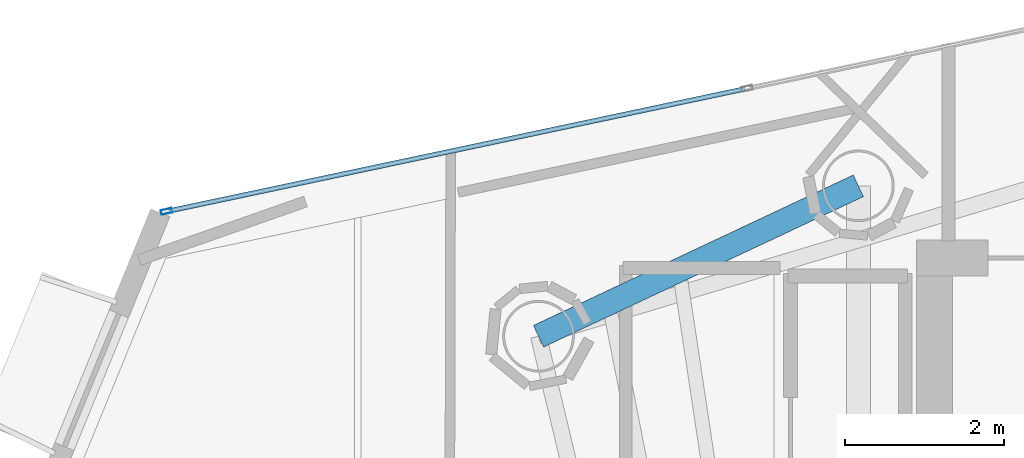
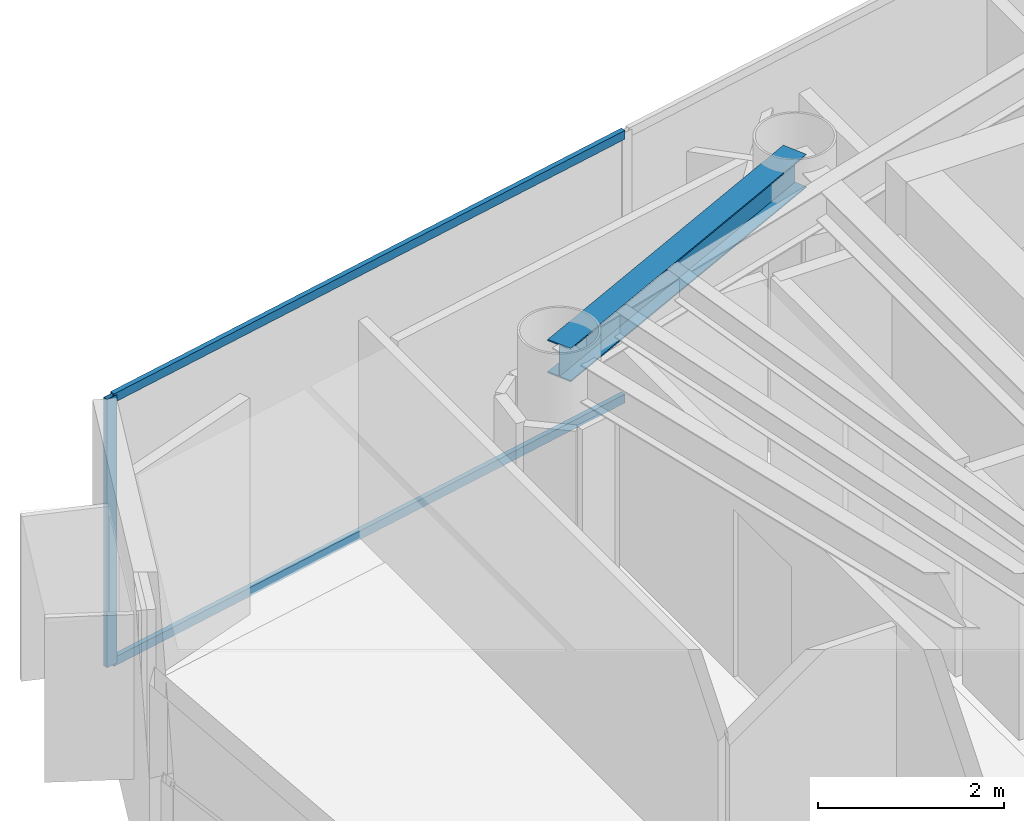
# One storey, part 8 of 21: 3 members, 1 beam, 1 element without a shape of its own.
"""IFC4 building model written with IfcOpenShell, lengths in metres."""

from ifc_helpers import new_model, si_unit, direction, frame, origin, origin_2d, place, context, subcontext, project, spatial, hollow_rectangle, i_section, extrude, material, layer, layer_set, material_profile, profile_set, type_object, element, aggregate, save


model = new_model("IFC4")

# Units and contexts
model_context = context("Model", 3, precision=1e-05, world=origin(), true_north=direction((0.0, 1.0)))
body_context = subcontext(model_context, "Body", "Model", "MODEL_VIEW")
ifc_project = project(units=[si_unit("LENGTHUNIT", "METRE"), si_unit("AREAUNIT", "SQUARE_METRE"), si_unit("VOLUMEUNIT", "CUBIC_METRE"), si_unit("PLANEANGLEUNIT", "RADIAN"), si_unit("MASSUNIT", "GRAM", prefix="KILO")], contexts=[model_context])

# Site, building, storey
site_placement = place(None, origin())
site = spatial("IfcSite", under=ifc_project, at=site_placement, CompositionType="ELEMENT")
building_placement = place(site_placement, origin())
building = spatial("IfcBuilding", under=site, at=building_placement, Name="Qianvela Tower", CompositionType="ELEMENT")
storey_placement = place(building_placement, frame((0.0, 0.0, 302.800048828125)))
storey = spatial("IfcBuildingStorey", under=building, at=storey_placement, Name="L78", CompositionType="ELEMENT", Elevation=302.800048828125)

# Beam
ifc_material_1 = material(Name="Steel Q355B", Category="steel")
ifc_material_profile_1 = material_profile(ifc_material_1, i_section(OverallWidth=0.300048828125, OverallDepth=0.43994140625, WebThickness=0.010986328125, FlangeThickness=0.01806640625, at=origin_2d()), Name="HM440x300x11x18")
ifc_profile_set_1 = profile_set([ifc_material_profile_1], Name="Steel Q355B")
beam_type = type_object("IfcBeamType", Name="BM-HM440-COLL", PredefinedType="BEAM", material=ifc_profile_set_1)
beam_placement = place(storey_placement, frame((28.60009765625, 33.550048828125, 3.2978515625), z_axis=(-0.904957143986, -0.425502723316, 0.0), x_axis=(0.425502723316, -0.904957143986, 0.0)))
element("IfcBeam", 1, at=beam_placement, inside=storey, type_object=beam_type, Name="L78 Radial Primary Floor Girder 3", PredefinedType="BEAM", context=body_context, shape_type="SweptSolid", body=[
    extrude(i_section(OverallWidth=0.300048828125, OverallDepth=0.43994140625, WebThickness=0.010986328125, FlangeThickness=0.01806640625, at=origin_2d()), origin(), (0.0, 0.0, 1.0), 4.4345703125),
])

# Curtain wall, members
ifc_material_2 = material(Name="Anodised Architectural Aluminium and Low-E Glass", Category="aluminium")
ifc_layer = layer(ifc_material_2, 0.14990234375)
ifc_layer_set = layer_set([ifc_layer], Name="Anodised Architectural Aluminium and Low-E Glass")
curtain_wall_type = type_object("IfcCurtainWallType", Name="CW-COLIV-Z78", PredefinedType="USERDEFINED", material=ifc_layer_set)
curtain_wall_placement = place(storey_placement, origin())
curtain_wall = element("IfcCurtainWall", 2, at=curtain_wall_placement, inside=storey, type_object=curtain_wall_type, Name="L78 CW-COLIV-Z78 Curtain Wall 02C", ObjectType="CURTAIN_WALL_SYSTEM", PredefinedType="USERDEFINED")
ifc_material_3 = material(Name="Anodised Architectural Aluminium 6063-T6", Category="aluminium")
ifc_material_profile_2 = material_profile(ifc_material_3, hollow_rectangle(XDim=0.06005859375, YDim=0.139892578125, WallThickness=0.00439453125, at=origin_2d()), Name="ALU-MULL-60x140")
ifc_profile_set_2 = profile_set([ifc_material_profile_2], Name="Anodised Architectural Aluminium 6063-T6")
member_type_1 = type_object("IfcMemberType", Name="CW-COLIV-Z78-MULL", PredefinedType="MULLION", material=ifc_profile_set_2)
member_1_placement = place(storey_placement, frame((19.9189453125, 33.22900390625, 0.0), z_axis=(0.0, 0.0, 1.0), x_axis=(0.207348083802, -0.978267229413, 0.0)))
member_1 = element("IfcMember", 3, at=member_1_placement, type_object=member_type_1, Name="CW-6 mullion 3", PredefinedType="MULLION", context=body_context, shape_type="SweptSolid", body=[
    extrude(hollow_rectangle(XDim=0.06005859375, YDim=0.139892578125, WallThickness=0.00439453125, at=origin_2d()), origin(), (0.0, 0.0, 1.0), 3.52001953125),
])
ifc_material_4 = material(Name="Anodised Architectural Aluminium 6063-T6", Category="aluminium")
ifc_material_profile_3 = material_profile(ifc_material_4, hollow_rectangle(XDim=0.06005859375, YDim=0.114990234375, WallThickness=0.00390625, at=origin_2d()), Name="ALU-TRAN-60x115")
ifc_profile_set_3 = profile_set([ifc_material_profile_3], Name="Anodised Architectural Aluminium 6063-T6")
member_type_2 = type_object("IfcMemberType", Name="CW-COLIV-Z78-TRAN", PredefinedType="USERDEFINED", material=ifc_profile_set_3)
member_2_placement = place(storey_placement, frame((27.173828125, 34.766845703125, 0.030029296875), z_axis=(-0.978267253799, -0.207347968749, 0.0), x_axis=(0.207347968749, -0.978267253799, 0.0)))
member_2 = element("IfcMember", 4, at=member_2_placement, type_object=member_type_2, Name="CW-6 transom 2.1", ObjectType="TRANSOM", PredefinedType="USERDEFINED", context=body_context, shape_type="SweptSolid", body=[
    extrude(hollow_rectangle(XDim=0.06005859375, YDim=0.114990234375, WallThickness=0.00390625, at=origin_2d()), origin(), (0.0, 0.0, 1.0), 7.385986328125),
])
member_3_placement = place(storey_placement, frame((27.173828125, 34.766845703125, 3.489990234375), z_axis=(-0.978267253799, -0.207347968749, 0.0), x_axis=(0.207347968749, -0.978267253799, 0.0)))
member_3 = element("IfcMember", 5, at=member_3_placement, type_object=member_type_2, Name="CW-6 transom 2.2", ObjectType="TRANSOM", PredefinedType="USERDEFINED", context=body_context, shape_type="SweptSolid", body=[
    extrude(hollow_rectangle(XDim=0.06005859375, YDim=0.114990234375, WallThickness=0.00390625, at=origin_2d()), origin(), (0.0, 0.0, 1.0), 7.385986328125),
])
aggregate(curtain_wall, [member_1, member_2, member_3])

save(model, "model.ifc")
